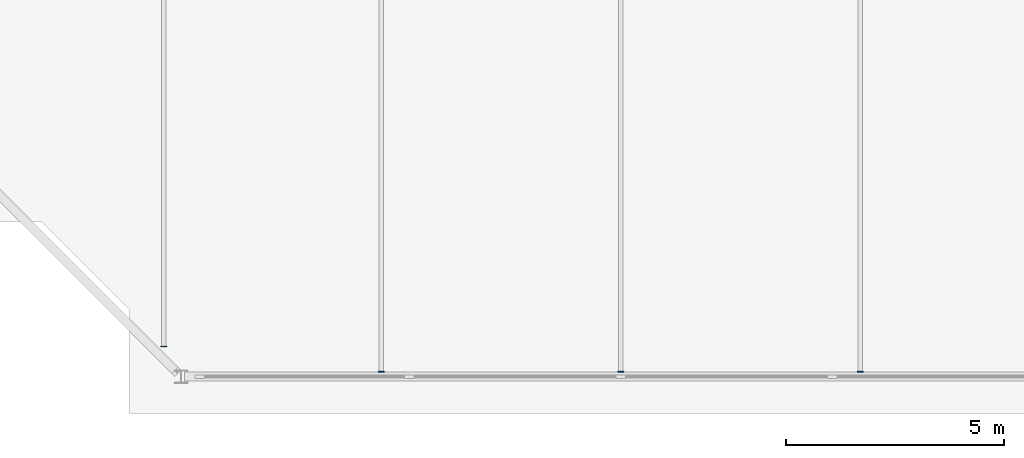
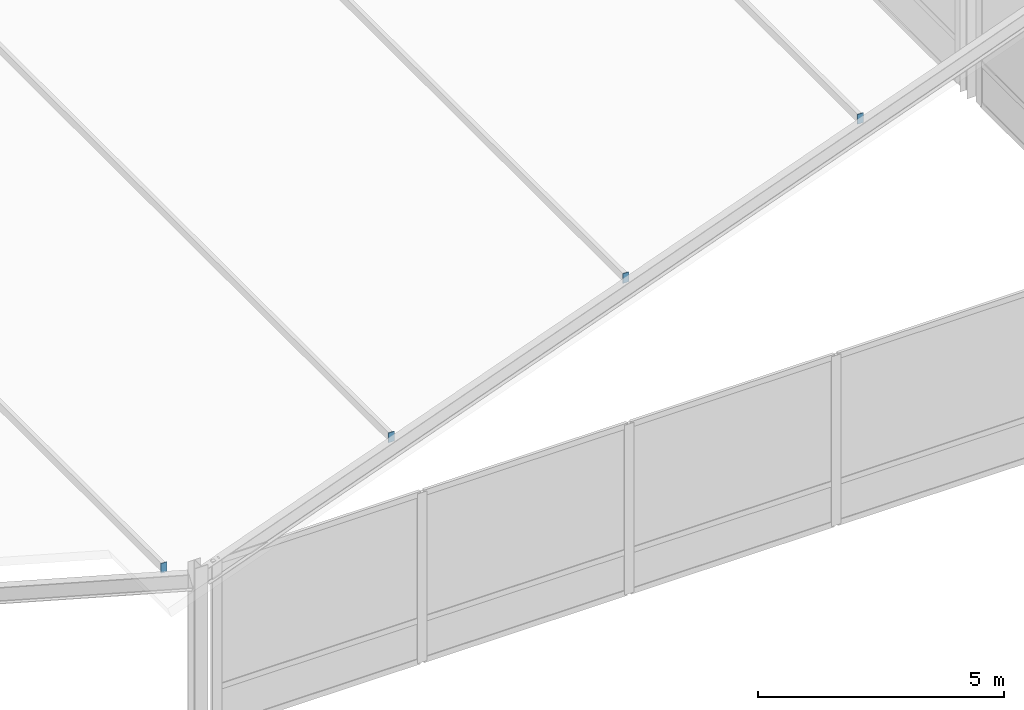
# One storey, part 5 of 8: 4 plates.
"""IFC4 building model written with IfcOpenShell, lengths in metres."""

from ifc_helpers import new_model, si_unit, direction, frame, origin, origin_2d, place, context, subcontext, project, spatial, rectangle, extrude, source, transform, mapped, material, layer, layer_set, type_object, element, save


model = new_model("IFC4")

# Units and contexts
model_context = context("Model", 3, precision=1e-05, world=origin(), true_north=direction((0.0, 1.0)))
body_context = subcontext(model_context, "Body", "Model", "MODEL_VIEW")
ifc_project = project(units=[si_unit("LENGTHUNIT", "METRE"), si_unit("AREAUNIT", "SQUARE_METRE"), si_unit("VOLUMEUNIT", "CUBIC_METRE"), si_unit("PLANEANGLEUNIT", "RADIAN"), si_unit("MASSUNIT", "GRAM", prefix="KILO"), si_unit("THERMODYNAMICTEMPERATUREUNIT", "KELVIN"), si_unit("POWERUNIT", "WATT")], contexts=[model_context])

# Site, building, storey
site_placement = place(None, origin())
site = spatial("IfcSite", under=ifc_project, at=site_placement, CompositionType="ELEMENT")
building_placement = place(site_placement, origin())
building = spatial("IfcBuilding", under=site, at=building_placement, Name="Qiaomeng Ring Towers", CompositionType="ELEMENT")
storey_placement = place(building_placement, frame((0.0, 0.0, 267.75)))
storey = spatial("IfcBuildingStorey", under=building, at=storey_placement, Name="Roof", CompositionType="ELEMENT", Elevation=267.75)

# Plates
ifc_material = material(Name="Steel Q355B", Category="steel")
ifc_layer = layer(ifc_material, 0.02001953125, Name="Steel Q355B")
ifc_layer_set = layer_set([ifc_layer], Name="Steel Q355B")
plate_type = type_object("IfcPlateType", Name="STR-PL-CAP", PredefinedType="USERDEFINED", material=ifc_layer_set)
shared_shape = source(origin(), body_context, "Body", "SweptSolid", [
    extrude(rectangle(XDim=0.139892578125, YDim=0.02001953125, at=origin_2d()), origin(), (0.0, 0.0, 1.0), 0.239990234375),
])
for number, where, z_axis, x_axis, name in (
    (1, (8.5, 8.840087890625, 3.76318359375), (0.0, 0.0, 1.0), (1.0, 0.0, 0.0), "Crown Roof Purlin PR1-1 End Cap Plate S"),
    (2, (13.5, 8.260009765625, 5.60302734375), (0.0, 0.0, 1.0), (1.0, 0.0, 0.0), "Crown Roof Purlin PR1-2 End Cap Plate S"),
    (3, (19.0, 8.260009765625, 7.62646484375), (0.0, 0.0, 1.0), (1.0, 0.0, 0.0), "Crown Roof Purlin PR1-3 End Cap Plate S"),
    (4, (24.5, 8.260009765625, 9.64990234375), (0.0, 0.0, 1.0), (1.0, 0.0, 0.0), "Crown Roof Purlin PR1-4 End Cap Plate S"),
):
    element("IfcPlate", number, at=place(storey_placement, frame(where, z_axis=z_axis, x_axis=x_axis)), inside=storey, type_object=plate_type, Name=name, ObjectType="END CAP PLATE", PredefinedType="USERDEFINED", context=body_context, shape_type="MappedRepresentation", body=[
        mapped(shared_shape, transform((0.0, 0.0, 0.0), x_axis=(1.0, 0.0, 0.0), y_axis=(0.0, 1.0, 0.0), z_axis=(0.0, 0.0, 1.0), scale=1.0)),
    ])

save(model, "model.ifc")
